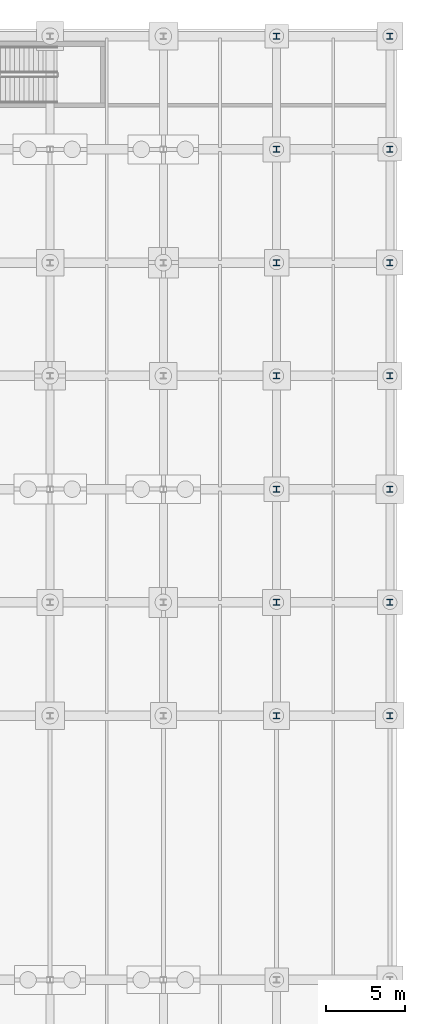
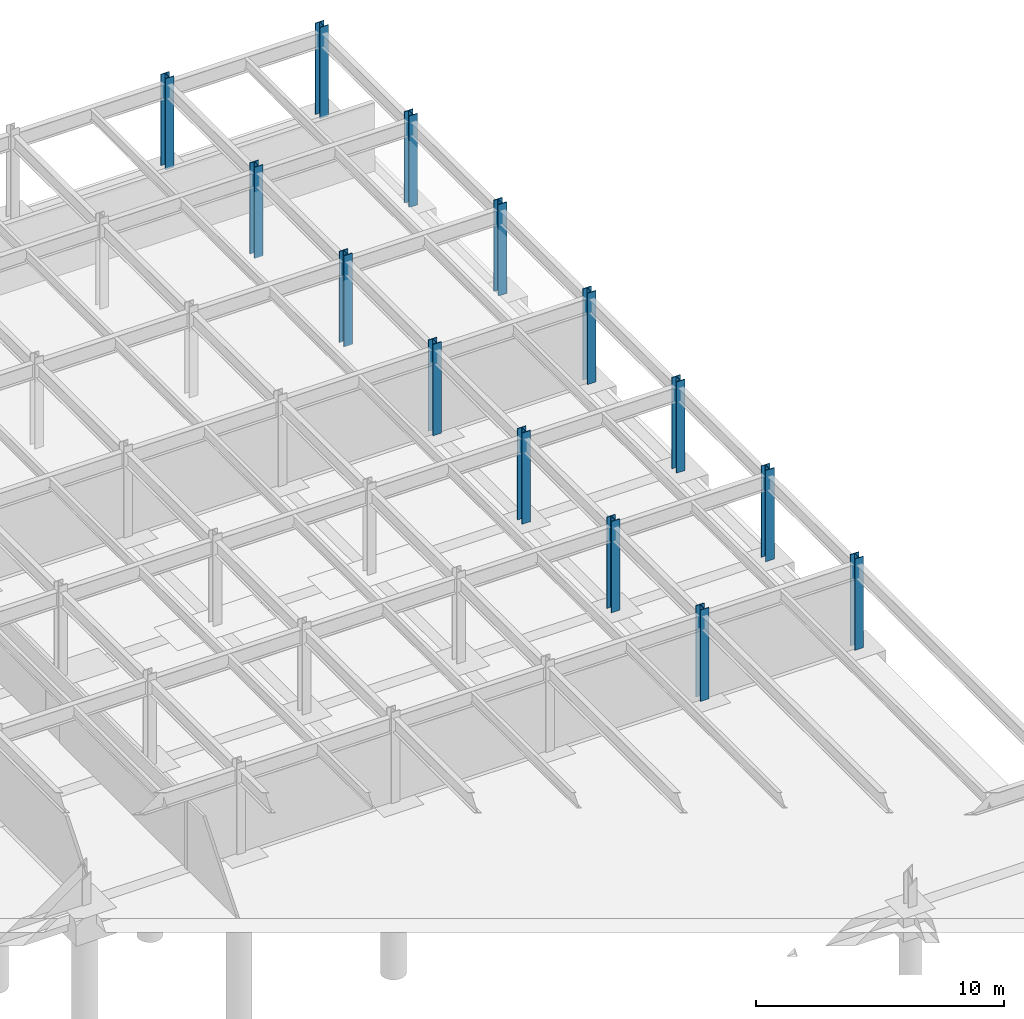
# One storey, part 27 of 54: 14 columns.
"""IFC4 building model written with IfcOpenShell, lengths in metres."""

from ifc_helpers import new_model, si_unit, direction, frame, origin, origin_2d, place, context, subcontext, project, spatial, i_section, extrude, material, material_profile, profile_set, type_object, element, save


model = new_model("IFC4")

# Units and contexts
model_context = context("Model", 3, precision=1e-05, world=origin(), true_north=direction((0.0, 1.0)))
body_context = subcontext(model_context, "Body", "Model", "MODEL_VIEW")
ifc_project = project(units=[si_unit("LENGTHUNIT", "METRE"), si_unit("AREAUNIT", "SQUARE_METRE"), si_unit("VOLUMEUNIT", "CUBIC_METRE"), si_unit("PLANEANGLEUNIT", "RADIAN"), si_unit("MASSUNIT", "GRAM", prefix="KILO")], contexts=[model_context])

# Site, building, storey
site_placement = place(None, origin())
site = spatial("IfcSite", under=ifc_project, at=site_placement, CompositionType="ELEMENT")
building_placement = place(site_placement, origin())
building = spatial("IfcBuilding", under=site, at=building_placement, Name="Vaelcorin Mobility Hub", CompositionType="ELEMENT")
storey_placement = place(building_placement, frame((0.0, 0.0, -4.5)))
storey = spatial("IfcBuildingStorey", under=building, at=storey_placement, Name="B1", CompositionType="ELEMENT", Elevation=-4.5)

# Columns
ifc_material = material(Name="Steel ASTM A992 Grade 50", Category="steel")
ifc_material_profile = material_profile(ifc_material, i_section(OverallWidth=0.39892578125, OverallDepth=0.39404296875, WebThickness=0.022705078125, FlangeThickness=0.03662109375, FilletRadius=0.014892578125, at=origin_2d()), Name="W14X193")
ifc_profile_set = profile_set([ifc_material_profile], Name="Steel ASTM A992 Grade 50")
column_type = type_object("IfcColumnType", Name="COL-W14X193", PredefinedType="COLUMN", material=ifc_profile_set)
for number, where, z_axis, x_axis, name in (
    (1, (196.800048828125, 76.800048828125, 0.0), (0.0, 0.0, 1.0), (1.0, 0.0, 0.0), "Column V5-X07Y09 B1"),
    (2, (196.800048828125, 84.0, 0.0), (0.0, 0.0, 1.0), (1.0, 0.0, 0.0), "Column V5-X07Y10 B1"),
    (3, (196.800048828125, 91.199951171875, 0.0), (0.0, 0.0, 1.0), (1.0, 0.0, 0.0), "Column V5-X07Y11 B1"),
    (4, (196.800048828125, 98.39990234375, 0.0), (0.0, 0.0, 1.0), (1.0, 0.0, 0.0), "Column V5-X07Y12 B1"),
    (5, (196.800048828125, 105.60009765625, 0.0), (0.0, 0.0, 1.0), (1.0, 0.0, 0.0), "Column V5-X07Y13 B1"),
    (6, (196.800048828125, 112.800048828125, 0.0), (0.0, 0.0, 1.0), (1.0, 0.0, 0.0), "Column V5-X07Y14 B1"),
    (7, (196.800048828125, 120.0, 0.0), (0.0, 0.0, 1.0), (1.0, 0.0, 0.0), "Column V5-X07Y15 B1"),
    (8, (204.0, 76.800048828125, 0.0), (0.0, 0.0, 1.0), (1.0, 0.0, 0.0), "Column V5-X08Y09 B1"),
    (9, (204.0, 84.0, 0.0), (0.0, 0.0, 1.0), (1.0, 0.0, 0.0), "Column V5-X08Y10 B1"),
    (10, (204.0, 91.199951171875, 0.0), (0.0, 0.0, 1.0), (1.0, 0.0, 0.0), "Column V5-X08Y11 B1"),
    (11, (204.0, 98.39990234375, 0.0), (0.0, 0.0, 1.0), (1.0, 0.0, 0.0), "Column V5-X08Y12 B1"),
    (12, (204.0, 105.60009765625, 0.0), (0.0, 0.0, 1.0), (1.0, 0.0, 0.0), "Column V5-X08Y13 B1"),
    (13, (204.0, 112.800048828125, 0.0), (0.0, 0.0, 1.0), (1.0, 0.0, 0.0), "Column V5-X08Y14 B1"),
    (14, (204.0, 120.0, 0.0), (0.0, 0.0, 1.0), (1.0, 0.0, 0.0), "Column V5-X08Y15 B1"),
):
    element("IfcColumn", number, at=place(storey_placement, frame(where, z_axis=z_axis, x_axis=x_axis)), inside=storey, type_object=column_type, Name=name, PredefinedType="COLUMN", context=body_context, shape_type="SweptSolid", body=[
        extrude(i_section(OverallWidth=0.39892578125, OverallDepth=0.39404296875, WebThickness=0.022705078125, FlangeThickness=0.03662109375, FilletRadius=0.014892578125, at=origin_2d()), origin(), (0.0, 0.0, 1.0), 4.5),
    ])

save(model, "model.ifc")
